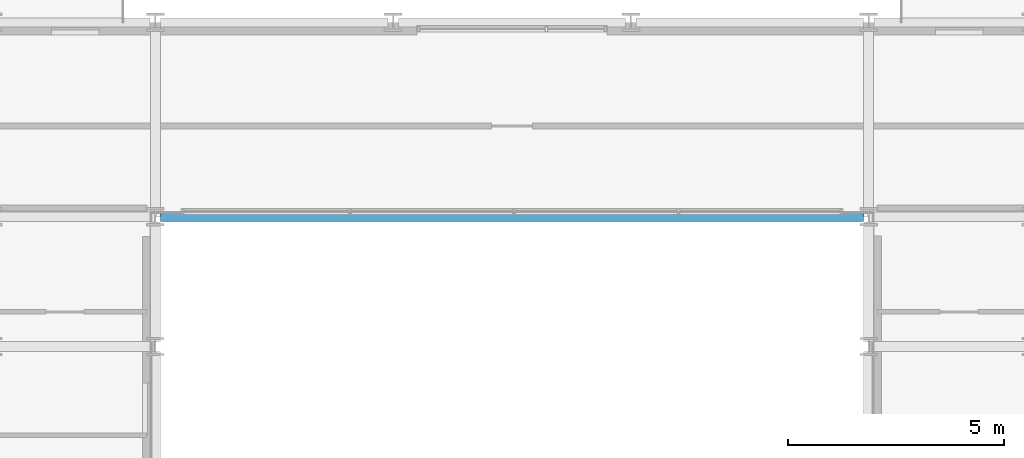
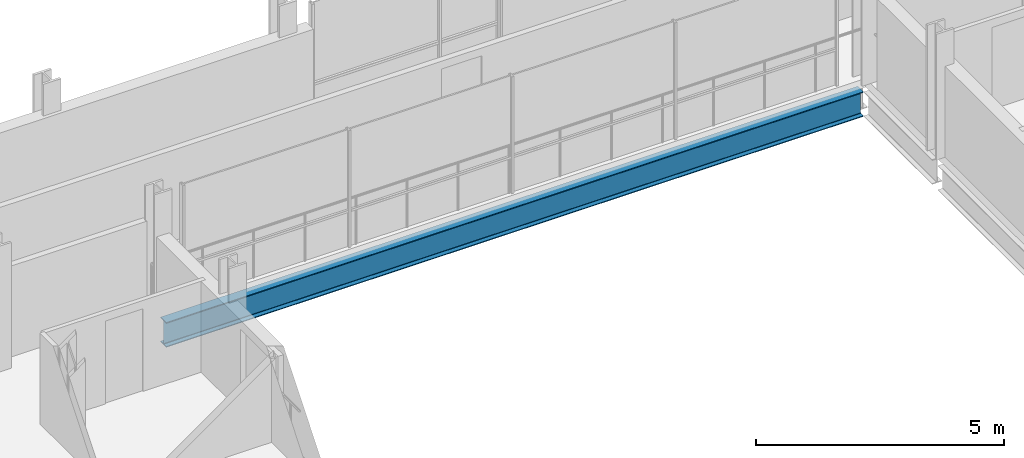
# One storey, part 10 of 40: 1 beam.
"""IFC4 building model written with IfcOpenShell, lengths in metres."""

from ifc_helpers import new_model, si_unit, direction, frame, origin, origin_2d, place, context, subcontext, project, spatial, i_section, extrude, material, material_profile, profile_set, type_object, element, save


model = new_model("IFC4")

# Units and contexts
model_context = context("Model", 3, precision=1e-05, world=origin(), true_north=direction((0.0, 1.0)))
body_context = subcontext(model_context, "Body", "Model", "MODEL_VIEW")
ifc_project = project(units=[si_unit("LENGTHUNIT", "METRE"), si_unit("AREAUNIT", "SQUARE_METRE"), si_unit("VOLUMEUNIT", "CUBIC_METRE"), si_unit("PLANEANGLEUNIT", "RADIAN"), si_unit("MASSUNIT", "GRAM", prefix="KILO")], contexts=[model_context])

# Site, building, storey
site_placement = place(None, origin())
site = spatial("IfcSite", under=ifc_project, at=site_placement, CompositionType="ELEMENT")
building_placement = place(site_placement, origin())
building = spatial("IfcBuilding", under=site, at=building_placement, Name="Brevholm Reach", CompositionType="ELEMENT")
storey_placement = place(building_placement, frame((0.0, 0.0, 125.199951171875)))
storey = spatial("IfcBuildingStorey", under=building, at=storey_placement, Name="L37", CompositionType="ELEMENT", Elevation=125.199951171875)

# Beam
ifc_material = material(Name="Structural Steel S355J2", Category="steel")
ifc_material_profile = material_profile(ifc_material, i_section(OverallWidth=0.22900390625, OverallDepth=0.6123046875, WebThickness=0.011962890625, FlangeThickness=0.01953125, FilletRadius=0.0126953125, at=origin_2d()), Name="UKB 610x229x125")
ifc_profile_set = profile_set([ifc_material_profile], Name="Structural Steel S355J2")
beam_type = type_object("IfcBeamType", Name="BM-SP610", PredefinedType="SPANDREL", material=ifc_profile_set)
beam_placement = place(storey_placement, frame((21.8701171875, 26.5, -0.526123046875), z_axis=(1.0, 0.0, 0.0), x_axis=(0.0, 1.0, 0.0)))
element("IfcBeam", 1, at=beam_placement, inside=storey, type_object=beam_type, Name="L37 SP-01 Framing Beam", PredefinedType="SPANDREL", context=body_context, shape_type="SweptSolid", body=[
    extrude(i_section(OverallWidth=0.22900390625, OverallDepth=0.6123046875, WebThickness=0.011962890625, FlangeThickness=0.01953125, FilletRadius=0.0126953125, at=origin_2d()), origin(), (0.0, 0.0, 1.0), 16.259765625),
])

save(model, "model.ifc")
